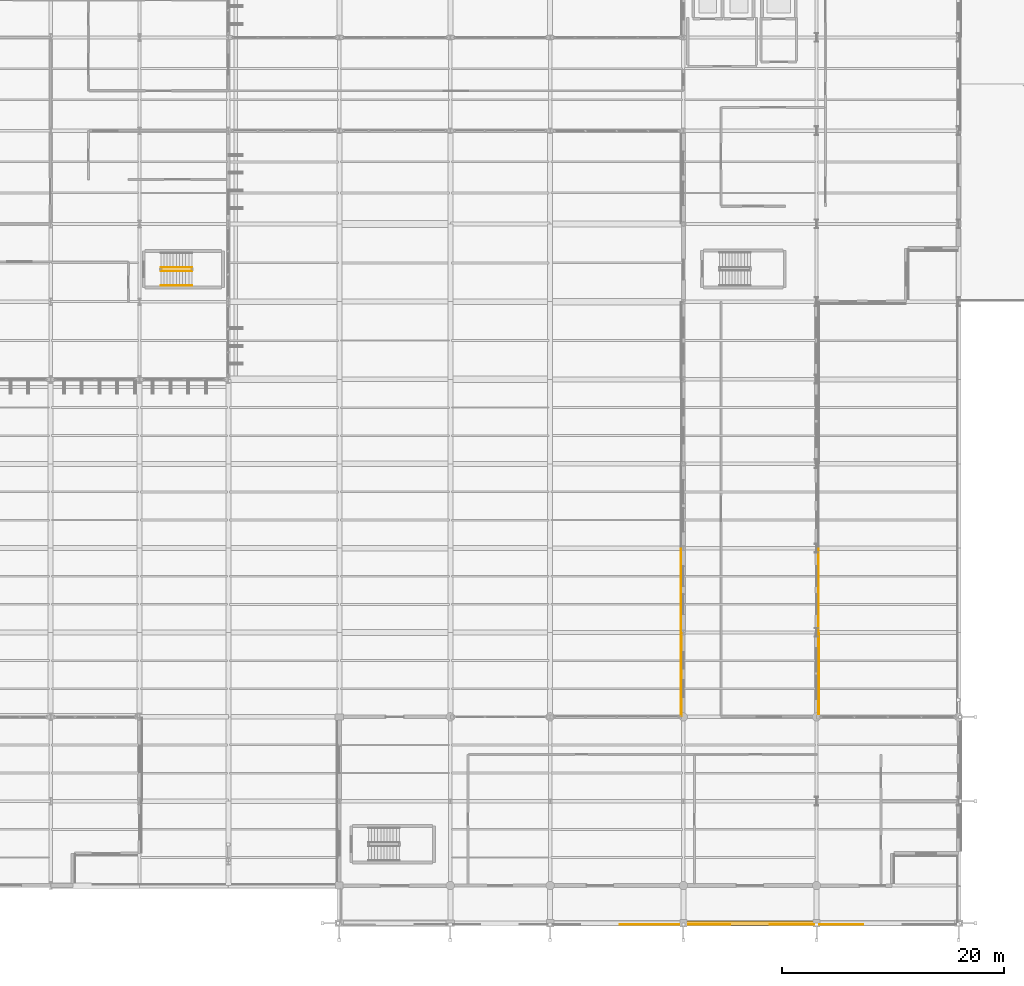
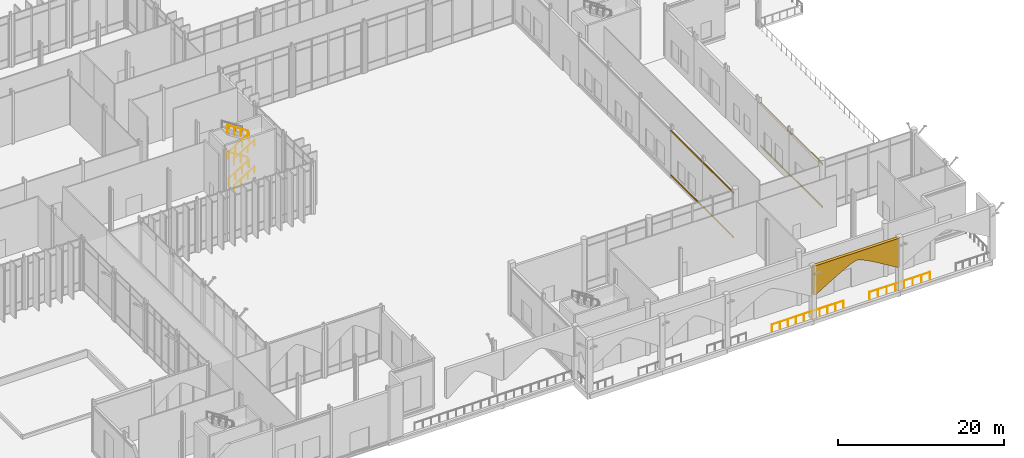
# One storey, part 169 of 176: 9 coverings, 8 railings.
"""IFC4 building model written with IfcOpenShell, lengths in metres."""

from ifc_helpers import new_model, si_unit, direction, frame, origin, origin_2d, place, context, subcontext, project, spatial, polyline, rectangle, circle, outline, extrude, material, layer, layer_set, type_object, element, save


model = new_model("IFC4")

# Units and contexts
model_context = context("Model", 3, precision=1e-05, world=origin(), true_north=direction((0.0, 1.0)))
body_context = subcontext(model_context, "Body", "Model", "MODEL_VIEW")
ifc_project = project(units=[si_unit("LENGTHUNIT", "METRE"), si_unit("AREAUNIT", "SQUARE_METRE"), si_unit("VOLUMEUNIT", "CUBIC_METRE"), si_unit("PLANEANGLEUNIT", "RADIAN"), si_unit("MASSUNIT", "GRAM", prefix="KILO")], contexts=[model_context])

# Site, building, storey
site_placement = place(None, origin())
site = spatial("IfcSite", under=ifc_project, at=site_placement, CompositionType="ELEMENT")
building_placement = place(site_placement, origin())
building = spatial("IfcBuilding", under=site, at=building_placement, Name="Vekula Escarpment Museum", CompositionType="ELEMENT")
storey_placement = place(building_placement, origin())
storey = spatial("IfcBuildingStorey", under=building, at=storey_placement, Name="L01", CompositionType="ELEMENT", Elevation=0.0)

# Coverings
ifc_material_1 = material(Name="Polychrome limestone almasik string-course band", Category="masonry")
ifc_layer_1 = layer(ifc_material_1, 0.06005859375)
ifc_layer_set_1 = layer_set([ifc_layer_1], Name="Polychrome limestone almasik string-course band")
covering_type_1 = type_object("IfcCoveringType", Name="COV-ALM-BAND", PredefinedType="CLADDING", material=ifc_layer_set_1)
for number, where, z_axis, x_axis, name in (
    (1, (166.799072265625, 26.60009765625, 0.41015625), (0.0, 0.0, 1.0), (0.0, 1.0, 0.0), "Almasik Stone String Course L01-0013"),
    (2, (166.799072265625, 26.60009765625, 6.90478515625), (0.0, 0.0, 1.0), (0.0, 1.0, 0.0), "Almasik Stone String Course L01-0014"),
    (3, (166.81396484375, 19.0, 0.41015625), (0.0, 0.0, 1.0), (0.0, 1.0, 0.0), "Almasik Stone String Course L01-0015"),
    (4, (166.81396484375, 19.0, 6.90478515625), (0.0, 0.0, 1.0), (0.0, 1.0, 0.0), "Almasik Stone String Course L01-0016"),
):
    element("IfcCovering", number, at=place(storey_placement, frame(where, z_axis=z_axis, x_axis=x_axis)), inside=storey, type_object=covering_type_1, Name=name, PredefinedType="CLADDING", context=body_context, shape_type="SweptSolid", body=[
        extrude(rectangle(XDim=7.47998046875, YDim=0.06005859375, at=origin_2d()), origin(), (0.0, 0.0, 1.0), 0.219970703125),
    ])
for number, where, z_axis, x_axis, name in (
    (5, (179.200927734375, 19.089599609375, 0.41015625), (0.0, 0.0, 1.0), (0.0, 1.0, 0.0), "Almasik Stone String Course L01-0029"),
    (6, (179.200927734375, 19.089599609375, 6.69482421875), (0.0, 0.0, 1.0), (0.0, 1.0, 0.0), "Almasik Stone String Course L01-0030"),
):
    element("IfcCovering", number, at=place(storey_placement, frame(where, z_axis=z_axis, x_axis=x_axis)), inside=storey, type_object=covering_type_1, Name=name, PredefinedType="CLADDING", context=body_context, shape_type="SweptSolid", body=[
        extrude(rectangle(XDim=7.301025390625, YDim=0.06005859375, at=origin_2d()), origin(), (0.0, 0.0, 1.0), 0.219970703125),
    ])
for number, where, z_axis, x_axis, name in (
    (7, (179.18603515625, 26.60009765625, 0.41015625), (0.0, 0.0, 1.0), (0.0, 1.0, 0.0), "Almasik Stone String Course L01-0031"),
    (8, (179.18603515625, 26.60009765625, 6.69482421875), (0.0, 0.0, 1.0), (0.0, 1.0, 0.0), "Almasik Stone String Course L01-0032"),
):
    element("IfcCovering", number, at=place(storey_placement, frame(where, z_axis=z_axis, x_axis=x_axis)), inside=storey, type_object=covering_type_1, Name=name, PredefinedType="CLADDING", context=body_context, shape_type="SweptSolid", body=[
        extrude(rectangle(XDim=7.47998046875, YDim=0.06005859375, at=origin_2d()), origin(), (0.0, 0.0, 1.0), 0.219970703125),
    ])
ifc_material_2 = material(Name="Carved limestone revak pointed-arch cladding", Category="masonry")
ifc_layer_2 = layer(ifc_material_2, 0.3798828125)
ifc_layer_set_2 = layer_set([ifc_layer_2], Name="Carved limestone revak pointed-arch cladding")
covering_type_2 = type_object("IfcCoveringType", Name="COV-REVAK-ARCH", PredefinedType="CLADDING", material=ifc_layer_set_2)
covering_placement = place(storey_placement, frame((173.0, -3.18994140625, 3.39990234375), z_axis=(0.0, -1.0, 0.0), x_axis=(1.0, 0.0, 0.0)))
element("IfcCovering", 9, at=covering_placement, inside=storey, type_object=covering_type_2, Name="Ottoman Pointed-Arch Revak Spandrel S-PORT-4", PredefinedType="CLADDING", context=body_context, shape_type="SweptSolid", body=[
    extrude(outline(polyline([(-5.97998046875, 4.219970703125), (5.97998046875, 4.219970703125), (5.97998046875, 0.0), (5.639892578125, 0.0), (4.531494140625, 0.6787109375), (3.46435546875, 1.3232421875), (2.477783203125, 1.901611328125), (1.60888671875, 2.384521484375), (0.889404296875, 2.748046875), (0.346435546875, 2.973388671875), (0.0, 3.050048828125), (-0.346435546875, 2.973388671875), (-0.889404296875, 2.748046875), (-1.60888671875, 2.384521484375), (-2.477783203125, 1.901611328125), (-3.46435546875, 1.3232421875), (-4.531494140625, 0.6787109375), (-5.639892578125, 0.0), (-5.97998046875, 0.0), (-5.97998046875, 4.219970703125)])), origin(), (0.0, 0.0, 1.0), 0.420166015625),
])

# Railings
ifc_material_3 = material(Name="Painted Steel S355 stair guard", Category="steel")
railing_type_1 = type_object("IfcRailingType", Name="RL-STAIR-GUARD", PredefinedType="GUARDRAIL", material=ifc_material_3)
railing_1_placement = place(storey_placement, frame((119.919921875, 55.3701171875, 0.17724609375)))
element("IfcRailing", 10, at=railing_1_placement, inside=storey, type_object=railing_type_1, Name="L01 ST-08 stair guard 1", PredefinedType="GUARDRAIL", context=body_context, shape_type="SweptSolid", body=[
    extrude(circle(Radius=0.02392578125, at=origin_2d()), frame((0.0, 0.0, 1.076171875), z_axis=(0.844908973607, 0.0, 0.534910110503), x_axis=(0.0, 1.0, 0.0)), (0.0, 0.0, 1.0), 3.31396484375),
    extrude(circle(Radius=0.02099609375, at=origin_2d()), origin(), (0.0, 0.0, 1.0), 1.052001953125),
    extrude(circle(Radius=0.02099609375, at=origin_2d()), frame((0.933349609375, 0.0, 0.5908203125)), (0.0, 0.0, 1.0), 1.052001953125),
    extrude(circle(Radius=0.02099609375, at=origin_2d()), frame((1.86669921875, 0.0, 1.181884765625)), (0.0, 0.0, 1.0), 1.052001953125),
    extrude(circle(Radius=0.02099609375, at=origin_2d()), frame((2.800048828125, 0.0, 1.772705078125)), (0.0, 0.0, 1.0), 1.052001953125),
])
railing_2_placement = place(storey_placement, frame((122.719970703125, 55.669921875, 2.127197265625)))
element("IfcRailing", 11, at=railing_2_placement, inside=storey, type_object=railing_type_1, Name="L01 ST-08 stair guard 3", PredefinedType="GUARDRAIL", context=body_context, shape_type="SweptSolid", body=[
    extrude(circle(Radius=0.02392578125, at=origin_2d()), frame((0.0, 0.0, 1.076171875), z_axis=(-0.844908973607, 0.0, 0.534910110503), x_axis=(0.0, -1.0, 0.0)), (0.0, 0.0, 1.0), 3.31396484375),
    extrude(circle(Radius=0.02099609375, at=origin_2d()), origin(), (0.0, 0.0, 1.0), 1.052001953125),
    extrude(circle(Radius=0.02099609375, at=origin_2d()), frame((-0.933349609375, 0.0, 0.5908203125)), (0.0, 0.0, 1.0), 1.052001953125),
    extrude(circle(Radius=0.02099609375, at=origin_2d()), frame((-1.86669921875, 0.0, 1.181884765625)), (0.0, 0.0, 1.0), 1.052001953125),
    extrude(circle(Radius=0.02099609375, at=origin_2d()), frame((-2.800048828125, 0.0, 1.772705078125)), (0.0, 0.0, 1.0), 1.052001953125),
])
railing_3_placement = place(storey_placement, frame((119.919921875, 55.3701171875, 4.077392578125)))
element("IfcRailing", 12, at=railing_3_placement, inside=storey, type_object=railing_type_1, Name="L01 ST-08 stair guard 5", PredefinedType="GUARDRAIL", context=body_context, shape_type="SweptSolid", body=[
    extrude(circle(Radius=0.02392578125, at=origin_2d()), frame((0.0, 0.0, 1.076171875), z_axis=(0.844908973607, 0.0, 0.534910110503), x_axis=(0.0, 1.0, 0.0)), (0.0, 0.0, 1.0), 3.31396484375),
    extrude(circle(Radius=0.02099609375, at=origin_2d()), origin(), (0.0, 0.0, 1.0), 1.052001953125),
    extrude(circle(Radius=0.02099609375, at=origin_2d()), frame((0.933349609375, 0.0, 0.5908203125)), (0.0, 0.0, 1.0), 1.052001953125),
    extrude(circle(Radius=0.02099609375, at=origin_2d()), frame((1.86669921875, 0.0, 1.181884765625)), (0.0, 0.0, 1.0), 1.052001953125),
    extrude(circle(Radius=0.02099609375, at=origin_2d()), frame((2.800048828125, 0.0, 1.772705078125)), (0.0, 0.0, 1.0), 1.052001953125),
])
railing_4_placement = place(storey_placement, frame((122.719970703125, 55.669921875, 6.02734375)))
element("IfcRailing", 13, at=railing_4_placement, inside=storey, type_object=railing_type_1, Name="L01 ST-08 stair guard 7", PredefinedType="GUARDRAIL", context=body_context, shape_type="SweptSolid", body=[
    extrude(circle(Radius=0.02392578125, at=origin_2d()), frame((0.0, 0.0, 1.076171875), z_axis=(-0.844908973607, 0.0, 0.534910110503), x_axis=(0.0, -1.0, 0.0)), (0.0, 0.0, 1.0), 3.31396484375),
    extrude(circle(Radius=0.02099609375, at=origin_2d()), origin(), (0.0, 0.0, 1.0), 1.052001953125),
    extrude(circle(Radius=0.02099609375, at=origin_2d()), frame((-0.933349609375, 0.0, 0.5908203125)), (0.0, 0.0, 1.0), 1.052001953125),
    extrude(circle(Radius=0.02099609375, at=origin_2d()), frame((-1.86669921875, 0.0, 1.181884765625)), (0.0, 0.0, 1.0), 1.052001953125),
    extrude(circle(Radius=0.02099609375, at=origin_2d()), frame((-2.800048828125, 0.0, 1.772705078125)), (0.0, 0.0, 1.0), 1.052001953125),
])
ifc_material_4 = material(Name="Brushed stainless steel handrail", Category="steel")
railing_type_2 = type_object("IfcRailingType", Name="RL-STAIR-HAND", PredefinedType="HANDRAIL", material=ifc_material_4)
for number, where, name in (
    (14, (119.919921875, 54.050048828125, 0.17724609375), "L01 ST-08 stair handrail 1"),
    (15, (119.919921875, 54.050048828125, 4.077392578125), "L01 ST-08 stair handrail 3"),
):
    element("IfcRailing", number, at=place(storey_placement, frame(where)), inside=storey, type_object=railing_type_2, Name=name, PredefinedType="HANDRAIL", context=body_context, shape_type="SweptSolid", body=[
        extrude(circle(Radius=0.02392578125, at=origin_2d()), frame((0.0, 0.0, 0.8759765625), z_axis=(0.844908973607, 0.0, 0.534910110503), x_axis=(0.0, 1.0, 0.0)), (0.0, 0.0, 1.0), 3.31396484375),
        extrude(circle(Radius=0.02099609375, at=origin_2d()), origin(), (0.0, 0.0, 1.0), 0.851806640625),
        extrude(circle(Radius=0.02099609375, at=origin_2d()), frame((0.933349609375, 0.0, 0.5908203125)), (0.0, 0.0, 1.0), 0.851806640625),
        extrude(circle(Radius=0.02099609375, at=origin_2d()), frame((1.86669921875, 0.0, 1.181884765625)), (0.0, 0.0, 1.0), 0.851806640625),
        extrude(circle(Radius=0.02099609375, at=origin_2d()), frame((2.800048828125, 0.0, 1.772705078125)), (0.0, 0.0, 1.0), 0.851806640625),
    ])
ifc_material_5 = material(Name="Bronze-coated Steel S355 balustrade", Category="steel")
railing_type_3 = type_object("IfcRailingType", Name="RL-TER-GUARD", PredefinedType="GUARDRAIL", material=ifc_material_5)
railing_5_placement = place(storey_placement, frame((183.199951171875, -3.510009765625, 0.0)))
element("IfcRailing", 16, at=railing_5_placement, inside=storey, type_object=railing_type_3, Name="Terrace Balustrade L01-011", PredefinedType="GUARDRAIL", context=body_context, shape_type="SweptSolid", body=[
    extrude(circle(Radius=0.02392578125, at=origin_2d()), frame((0.0, 0.0, 1.076171875), z_axis=(-1.0, 0.0, 0.0), x_axis=(0.0, -1.0, 0.0)), (0.0, 0.0, 1.0), 8.39990234375),
    extrude(circle(Radius=0.02099609375, at=origin_2d()), origin(), (0.0, 0.0, 1.0), 1.052001953125),
    extrude(circle(Radius=0.02099609375, at=origin_2d()), frame((-1.199951171875, 0.0, 0.0)), (0.0, 0.0, 1.0), 1.052001953125),
    extrude(circle(Radius=0.02099609375, at=origin_2d()), frame((-2.39990234375, 0.0, 0.0)), (0.0, 0.0, 1.0), 1.052001953125),
    extrude(circle(Radius=0.02099609375, at=origin_2d()), frame((-3.599853515625, 0.0, 0.0)), (0.0, 0.0, 1.0), 1.052001953125),
    extrude(circle(Radius=0.02099609375, at=origin_2d()), frame((-4.800048828125, 0.0, 0.0)), (0.0, 0.0, 1.0), 1.052001953125),
    extrude(circle(Radius=0.02099609375, at=origin_2d()), frame((-6.0, 0.0, 0.0)), (0.0, 0.0, 1.0), 1.052001953125),
    extrude(circle(Radius=0.02099609375, at=origin_2d()), frame((-7.199951171875, 0.0, 0.0)), (0.0, 0.0, 1.0), 1.052001953125),
    extrude(circle(Radius=0.02099609375, at=origin_2d()), frame((-8.39990234375, 0.0, 0.0)), (0.0, 0.0, 1.0), 1.052001953125),
])
railing_6_placement = place(storey_placement, frame((171.199951171875, -3.510009765625, 0.0)))
element("IfcRailing", 17, at=railing_6_placement, inside=storey, type_object=railing_type_3, Name="Terrace Balustrade L01-012", PredefinedType="GUARDRAIL", context=body_context, shape_type="SweptSolid", body=[
    extrude(circle(Radius=0.02392578125, at=origin_2d()), frame((0.0, 0.0, 1.076171875), z_axis=(-1.0, 0.0, 0.0), x_axis=(0.0, -1.0, 0.0)), (0.0, 0.0, 1.0), 9.89990234375),
    extrude(circle(Radius=0.02099609375, at=origin_2d()), origin(), (0.0, 0.0, 1.0), 1.052001953125),
    extrude(circle(Radius=0.02099609375, at=origin_2d()), frame((-1.10009765625, 0.0, 0.0)), (0.0, 0.0, 1.0), 1.052001953125),
    extrude(circle(Radius=0.02099609375, at=origin_2d()), frame((-2.199951171875, 0.0, 0.0)), (0.0, 0.0, 1.0), 1.052001953125),
    extrude(circle(Radius=0.02099609375, at=origin_2d()), frame((-3.300048828125, 0.0, 0.0)), (0.0, 0.0, 1.0), 1.052001953125),
    extrude(circle(Radius=0.02099609375, at=origin_2d()), frame((-4.39990234375, 0.0, 0.0)), (0.0, 0.0, 1.0), 1.052001953125),
    extrude(circle(Radius=0.02099609375, at=origin_2d()), frame((-5.5, 0.0, 0.0)), (0.0, 0.0, 1.0), 1.052001953125),
    extrude(circle(Radius=0.02099609375, at=origin_2d()), frame((-6.599853515625, 0.0, 0.0)), (0.0, 0.0, 1.0), 1.052001953125),
    extrude(circle(Radius=0.02099609375, at=origin_2d()), frame((-7.699951171875, 0.0, 0.0)), (0.0, 0.0, 1.0), 1.052001953125),
    extrude(circle(Radius=0.02099609375, at=origin_2d()), frame((-8.7998046875, 0.0, 0.0)), (0.0, 0.0, 1.0), 1.052001953125),
    extrude(circle(Radius=0.02099609375, at=origin_2d()), frame((-9.89990234375, 0.0, 0.0)), (0.0, 0.0, 1.0), 1.052001953125),
])

save(model, "model.ifc")
